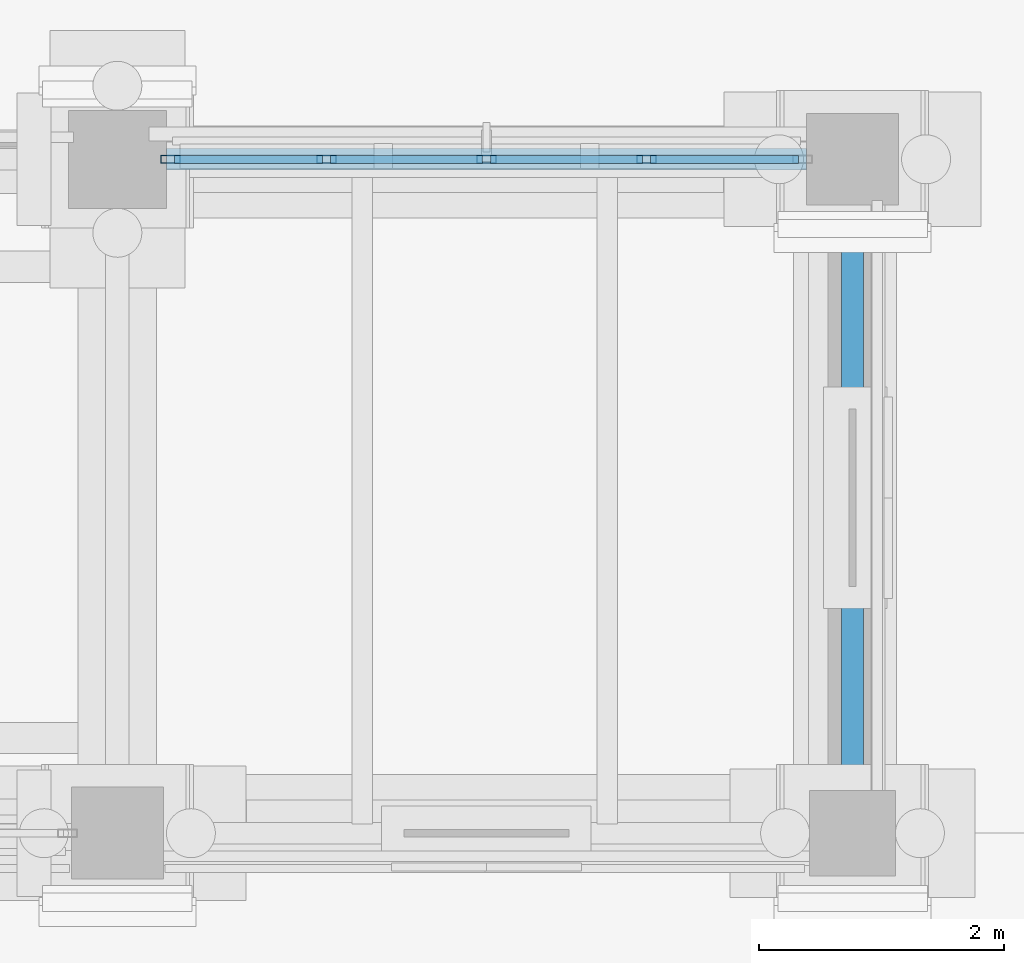
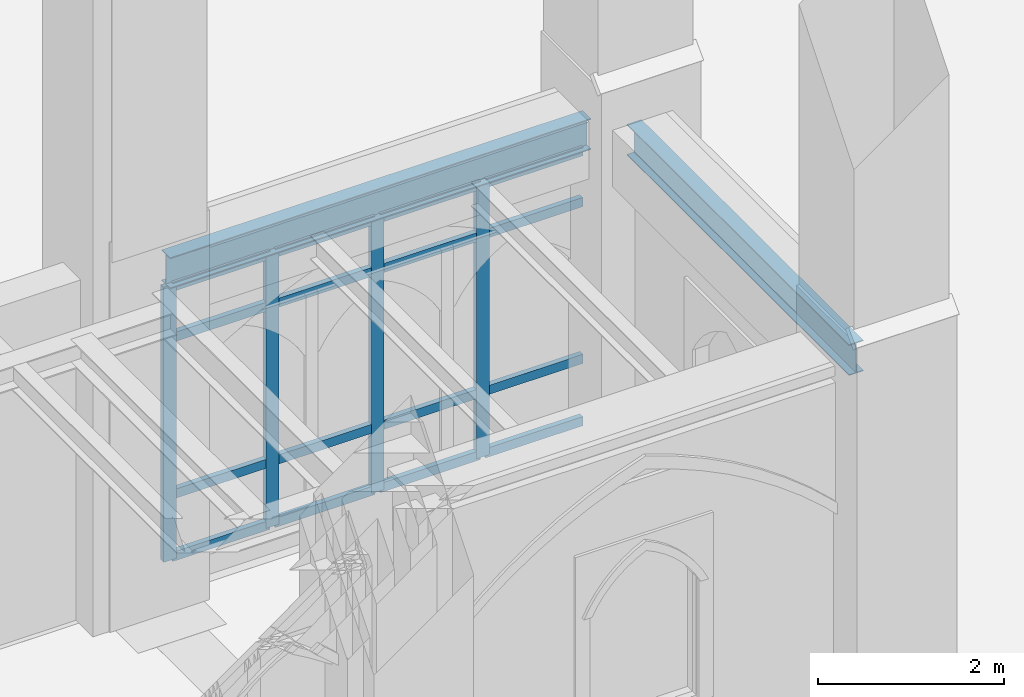
# One storey, part 37 of 135: 20 members, 2 beams, 1 element without a shape of its own.
"""IFC4 building model written with IfcOpenShell, lengths in metres."""

import ifcopenshell
import ifcopenshell.guid

model = None  # the IFC model being written
_history = None  # IfcOwnerHistory: only IFC2X3 demands one
_inside = {}  # id of a spatial element -> (the spatial element, [elements in it])
_under = {}  # id of a project, library or spatial element -> (it, [spatial elements below it])
_declared = {}  # id of a project -> (the project, [libraries it declares])
_typed = {}  # id of a type object -> (the type object, [elements of that type])
_made_of = {}  # id of a material, layer set ... -> (it, [elements and type objects made of it])


def new_model(schema):
    """Start an empty IFC model of exactly this schema.

    Asked for "IFC4X3", IfcOpenShell would pick the latest addendum, in which some entities
    have other attributes; the version numbers below select the first issue.
    IFC2X3 requires an IfcOwnerHistory on every rooted entity: one is made here for all.
    """
    global model, _history
    if schema == "IFC4X3":
        model = ifcopenshell.file(schema_version=(4, 3, 0, 0))
    else:
        model = ifcopenshell.file(schema=schema)
    _inside.clear()
    _under.clear()
    _declared.clear()
    _typed.clear()
    _made_of.clear()
    _history = None
    if model.schema == "IFC2X3":
        org = make("IfcOrganization", Name="unknown")
        user = make(
            "IfcPersonAndOrganization",
            ThePerson=make("IfcPerson", FamilyName="unknown"),
            TheOrganization=org,
        )
        app = make(
            "IfcApplication",
            ApplicationDeveloper=org,
            Version="unknown",
            ApplicationFullName="unknown",
            ApplicationIdentifier="unknown",
        )
        _history = make(
            "IfcOwnerHistory",
            OwningUser=user,
            OwningApplication=app,
            ChangeAction="ADDED",
            CreationDate=0,
        )
    return model


def make(cls, **values):
    """One entity of the class cls with the attributes given. An attribute that is None is left unset."""
    return model.create_entity(
        cls, **{name: value for name, value in values.items() if value is not None}
    )


def rooted(cls, **values):
    """An entity with a GlobalId (a new one), such as an element, a storey or a relation."""
    return make(cls, GlobalId=ifcopenshell.guid.new(), OwnerHistory=_history, **values)


def si_unit(unit_type, name, prefix=None):
    """IfcSIUnit, for example si_unit("LENGTHUNIT", "METRE", prefix="MILLI")."""
    return make("IfcSIUnit", UnitType=unit_type, Prefix=prefix, Name=name)


def assignment(units):
    """IfcUnitAssignment: the units of a project."""
    return None if units is None else make("IfcUnitAssignment", Units=units)


def point(xyz):
    """IfcCartesianPoint."""
    return None if xyz is None else make("IfcCartesianPoint", Coordinates=xyz)


def direction(xyz):
    """IfcDirection."""
    return None if xyz is None else make("IfcDirection", DirectionRatios=xyz)


def frame(location, z_axis=None, x_axis=None):
    """IfcAxis2Placement3D, a coordinate frame: its origin and axes. An axis left out is left unset."""
    return make(
        "IfcAxis2Placement3D",
        Location=point(location),
        Axis=direction(z_axis),
        RefDirection=direction(x_axis),
    )


def frame_2d(location, x_axis=None):
    """IfcAxis2Placement2D, a coordinate frame in the plane: its origin and x axis."""
    return make(
        "IfcAxis2Placement2D", Location=point(location), RefDirection=direction(x_axis)
    )


def origin():
    """The frame at (0, 0, 0) with its axes left unset."""
    return frame((0.0, 0.0, 0.0))


def origin_2d():
    """The frame at (0, 0) in the plane with its x axis left unset."""
    return frame_2d((0.0, 0.0))


def place(relative_to, where):
    """IfcLocalPlacement: puts the frame where relative to a parent placement (None: the world)."""
    return make(
        "IfcLocalPlacement", PlacementRelTo=relative_to, RelativePlacement=where
    )


def context(
    kind, dimensions, precision=None, world=None, true_north=None, identifier=None
):
    """IfcGeometricRepresentationContext, for example the 3D "Model" context."""
    return make(
        "IfcGeometricRepresentationContext",
        ContextIdentifier=identifier,
        ContextType=kind,
        CoordinateSpaceDimension=dimensions,
        Precision=precision,
        WorldCoordinateSystem=world,
        TrueNorth=true_north,
    )


def subcontext(parent, identifier, kind, view, scale=None):
    """IfcGeometricRepresentationSubContext, for example "Body" below "Model"."""
    return make(
        "IfcGeometricRepresentationSubContext",
        ContextIdentifier=identifier,
        ContextType=kind,
        ParentContext=parent,
        TargetScale=scale,
        TargetView=view,
    )


def project(units=None, contexts=None):
    """IfcProject with its units and contexts."""
    return rooted(
        "IfcProject",
        Name="project",
        RepresentationContexts=contexts,
        UnitsInContext=assignment(units),
    )


def spatial(cls, under=None, at=None, **own):
    """A site, building, storey or space (cls), placed at a placement, below another one or the project."""
    s = rooted(cls, ObjectPlacement=at, **own)
    if under is not None:
        _under.setdefault(under.id(), (under, []))[1].append(s)
    return s


def profile(cls, at=None, kind="AREA", **sizes):
    """A parametric profile (cls). Its sizes go by their IFC names, for example OverallWidth=200.0."""
    return make(cls, ProfileType=kind, Position=at, **sizes)


def hollow_rectangle(**sizes):
    """IfcRectangleHollowProfileDef."""
    return profile("IfcRectangleHollowProfileDef", **sizes)


def i_section(**sizes):
    """IfcIShapeProfileDef."""
    return profile("IfcIShapeProfileDef", **sizes)


def extrude(swept, where, along, depth):
    """IfcExtrudedAreaSolid: the profile swept, set in the frame where, extruded along a direction by depth."""
    return make(
        "IfcExtrudedAreaSolid",
        SweptArea=swept,
        Position=where,
        ExtrudedDirection=direction(along),
        Depth=depth,
    )


def shape(context_of_items, identifier, shape_type, items):
    """IfcShapeRepresentation: the items that make up one representation, for example the "Body"."""
    return make(
        "IfcShapeRepresentation",
        ContextOfItems=context_of_items,
        RepresentationIdentifier=identifier,
        RepresentationType=shape_type,
        Items=items,
    )


def material(Name=None, Category=None):
    """IfcMaterial."""
    return make("IfcMaterial", Name=Name, Category=Category)


def layer(
    of_material, thickness, ventilated=None, Name=None, Category=None, Priority=None
):
    """IfcMaterialLayer: one layer of a wall or slab, of a material (None: an air gap)."""
    return make(
        "IfcMaterialLayer",
        Material=of_material,
        LayerThickness=thickness,
        IsVentilated=ventilated,
        Name=Name,
        Category=Category,
        Priority=Priority,
    )


def layer_set(layers, Name=None):
    """IfcMaterialLayerSet."""
    return make("IfcMaterialLayerSet", MaterialLayers=layers, LayerSetName=Name)


def material_profile(
    of_material, cross_section, Name=None, Category=None, Priority=None
):
    """IfcMaterialProfile: a cross section and its material."""
    return make(
        "IfcMaterialProfile",
        Name=Name,
        Material=of_material,
        Profile=cross_section,
        Priority=Priority,
        Category=Category,
    )


def profile_set(profiles, Name=None, composite=None):
    """IfcMaterialProfileSet."""
    return make(
        "IfcMaterialProfileSet",
        Name=Name,
        MaterialProfiles=profiles,
        CompositeProfile=composite,
    )


def made_of(thing, what):
    """Note that an element or type object is made of a material, layer set ...; save() writes the relation."""
    if what is not None:
        _made_of.setdefault(what.id(), (what, []))[1].append(thing)
    return thing


def type_object(cls, material=None, **own):
    """A type object (cls), such as IfcWallType, which elements share."""
    return made_of(rooted(cls, **own), material)


def element(
    cls,
    number,
    at=None,
    inside=None,
    cuts=None,
    type_object=None,
    material=None,
    context=None,
    identifier="Body",
    shape_type=None,
    held_by="IfcProductDefinitionShape",
    body=None,
    shapes=None,
    **own,
):
    """One element of the class cls, such as IfcWall. Its Tag is "e" and its number.

    at: its placement. inside: the storey or other place that contains it. cuts: it is an
    opening in that element (IfcRelVoidsElement). A single representation is given by context,
    identifier, shape_type and body (its items); several are given by shapes. held_by: the class
    of the entity that holds the representations. save() writes the other relations.
    """
    e = rooted(cls, Tag="e%d" % number, ObjectPlacement=at, **own)
    if body is not None:
        shapes = [shape(context, identifier, shape_type, body)]
    if shapes is not None:
        e.Representation = make(held_by, Representations=shapes)
    if inside is not None:
        _inside.setdefault(inside.id(), (inside, []))[1].append(e)
    if cuts is not None:
        rooted(
            "IfcRelVoidsElement", RelatingBuildingElement=cuts, RelatedOpeningElement=e
        )
    if type_object is not None:
        _typed.setdefault(type_object.id(), (type_object, []))[1].append(e)
    return made_of(e, material)


def aggregate(whole, parts):
    """IfcRelAggregates: a whole, such as a stair, and the parts it consists of."""
    return rooted("IfcRelAggregates", RelatingObject=whole, RelatedObjects=parts)


def save(model, path):
    """Write the relations noted so far, then the file.

    IfcRelAggregates (storeys below a building ...), IfcRelContainedInSpatialStructure (elements
    in a storey), IfcRelDefinesByType, IfcRelAssociatesMaterial and IfcRelDeclares: one each for
    every whole, place, type object, material and project.
    """
    for whole, parts in _under.values():
        aggregate(whole, parts)
    for where, things in _inside.values():
        rooted(
            "IfcRelContainedInSpatialStructure",
            RelatedElements=things,
            RelatingStructure=where,
        )
    for kind, things in _typed.values():
        rooted("IfcRelDefinesByType", RelatedObjects=things, RelatingType=kind)
    for what, things in _made_of.values():
        rooted("IfcRelAssociatesMaterial", RelatedObjects=things, RelatingMaterial=what)
    for by, libraries in _declared.values():
        rooted("IfcRelDeclares", RelatingContext=by, RelatedDefinitions=libraries)
    model.write(path)


model = new_model("IFC4")

# Units and contexts
model_context = context("Model", 3, precision=1e-05, world=origin(), true_north=direction((0.0, 1.0)))
body_context = subcontext(model_context, "Body", "Model", "MODEL_VIEW")
ifc_project = project(units=[si_unit("LENGTHUNIT", "METRE"), si_unit("AREAUNIT", "SQUARE_METRE"), si_unit("VOLUMEUNIT", "CUBIC_METRE"), si_unit("PLANEANGLEUNIT", "RADIAN"), si_unit("MASSUNIT", "GRAM", prefix="KILO")], contexts=[model_context])

# Site, building, storey
site_placement = place(None, origin())
site = spatial("IfcSite", under=ifc_project, at=site_placement, CompositionType="ELEMENT")
building_placement = place(site_placement, origin())
building = spatial("IfcBuilding", under=site, at=building_placement, Name="Cumevento Cable Car Station", CompositionType="ELEMENT")
storey_placement = place(building_placement, origin())
storey = spatial("IfcBuildingStorey", under=building, at=storey_placement, Name="L01", CompositionType="ELEMENT", Elevation=0.0)

# Curtain wall, members
ifc_material_1 = material(Name="Anodised Bronze Aluminium AW-6063-T6", Category="aluminium")
ifc_layer = layer(ifc_material_1, 0.219970703125)
ifc_layer_set = layer_set([ifc_layer], Name="Anodised Bronze Aluminium AW-6063-T6")
curtain_wall_type = type_object("IfcCurtainWallType", Name="Lancet Curtain Wall CW-11 1450", PredefinedType="NOTDEFINED", material=ifc_layer_set)
curtain_wall_placement = place(storey_placement, origin())
curtain_wall = element("IfcCurtainWall", 1, at=curtain_wall_placement, inside=storey, type_object=curtain_wall_type, Name="Lancet Curtain Wall CW-11 L01 #10", PredefinedType="NOTDEFINED")
ifc_material_2 = material(Name="Anodised Bronze Aluminium AW-6063-T6", Category="aluminium")
ifc_material_profile_1 = material_profile(ifc_material_2, hollow_rectangle(XDim=0.06494140625, YDim=0.159912109375, WallThickness=0.00390625, at=origin_2d()), Name="ALUM65x160x4")
ifc_profile_set_1 = profile_set([ifc_material_profile_1], Name="Anodised Bronze Aluminium AW-6063-T6")
member_type_1 = type_object("IfcMemberType", Name="Curtain Mullion CWM-01 ALUM65x160x4", PredefinedType="MULLION", material=ifc_profile_set_1)
member_1_placement = place(storey_placement, frame((76.4326171875, 9.5, 0.260009765625), z_axis=(0.0, 0.0, 1.0), x_axis=(0.0, 1.0, 0.0)))
member_1 = element("IfcMember", 2, at=member_1_placement, type_object=member_type_1, Name="CW-11 mullion 1", PredefinedType="MULLION", context=body_context, shape_type="SweptSolid", body=[
    extrude(hollow_rectangle(XDim=0.06494140625, YDim=0.159912109375, WallThickness=0.00390625, at=origin_2d()), origin(), (0.0, 0.0, 1.0), 3.60888671875),
])
member_2_placement = place(storey_placement, frame((77.706298828125, 9.5, 0.260009765625), z_axis=(0.0, 0.0, 1.0), x_axis=(0.0, 1.0, 0.0)))
member_2 = element("IfcMember", 3, at=member_2_placement, type_object=member_type_1, Name="CW-11 mullion 2", PredefinedType="MULLION", context=body_context, shape_type="SweptSolid", body=[
    extrude(hollow_rectangle(XDim=0.06494140625, YDim=0.159912109375, WallThickness=0.00390625, at=origin_2d()), origin(), (0.0, 0.0, 1.0), 3.60888671875),
])
member_3_placement = place(storey_placement, frame((79.012451171875, 9.5, 0.260009765625), z_axis=(0.0, 0.0, 1.0), x_axis=(0.0, 1.0, 0.0)))
member_3 = element("IfcMember", 4, at=member_3_placement, type_object=member_type_1, Name="CW-11 mullion 3", PredefinedType="MULLION", context=body_context, shape_type="SweptSolid", body=[
    extrude(hollow_rectangle(XDim=0.06494140625, YDim=0.159912109375, WallThickness=0.00390625, at=origin_2d()), origin(), (0.0, 0.0, 1.0), 3.60888671875),
])
member_4_placement = place(storey_placement, frame((80.31884765625, 9.5, 0.260009765625), z_axis=(0.0, 0.0, 1.0), x_axis=(0.0, 1.0, 0.0)))
member_4 = element("IfcMember", 5, at=member_4_placement, type_object=member_type_1, Name="CW-11 mullion 4", PredefinedType="MULLION", context=body_context, shape_type="SweptSolid", body=[
    extrude(hollow_rectangle(XDim=0.06494140625, YDim=0.159912109375, WallThickness=0.00390625, at=origin_2d()), origin(), (0.0, 0.0, 1.0), 3.60888671875),
])
ifc_material_3 = material(Name="Anodised Bronze Aluminium AW-6063-T6", Category="aluminium")
ifc_material_profile_2 = material_profile(ifc_material_3, hollow_rectangle(XDim=0.06494140625, YDim=0.1201171875, WallThickness=0.00390625, at=origin_2d()), Name="ALUT65x120x4")
ifc_profile_set_2 = profile_set([ifc_material_profile_2], Name="Anodised Bronze Aluminium AW-6063-T6")
member_type_2 = type_object("IfcMemberType", Name="Curtain Transom CWT-01 ALUT65x120x4", PredefinedType="USERDEFINED", material=ifc_profile_set_2)
member_5_placement = place(storey_placement, frame((76.465087890625, 9.5, 0.29248046875), z_axis=(1.0, 0.0, 0.0), x_axis=(0.0, 1.0, 0.0)))
member_5 = element("IfcMember", 6, at=member_5_placement, type_object=member_type_2, Name="CW-11 transom 1.1", ObjectType="TRANSOM", PredefinedType="USERDEFINED", context=body_context, shape_type="SweptSolid", body=[
    extrude(hollow_rectangle(XDim=0.06494140625, YDim=0.1201171875, WallThickness=0.00390625, at=origin_2d()), origin(), (0.0, 0.0, 1.0), 1.208740234375),
])
member_6_placement = place(storey_placement, frame((76.465087890625, 9.5, 1.110107421875), z_axis=(1.0, 0.0, 0.0), x_axis=(0.0, 1.0, 0.0)))
member_6 = element("IfcMember", 7, at=member_6_placement, type_object=member_type_2, Name="CW-11 transom 1.2", ObjectType="TRANSOM", PredefinedType="USERDEFINED", context=body_context, shape_type="SweptSolid", body=[
    extrude(hollow_rectangle(XDim=0.06494140625, YDim=0.1201171875, WallThickness=0.00390625, at=origin_2d()), origin(), (0.0, 0.0, 1.0), 1.208740234375),
])
member_7_placement = place(storey_placement, frame((76.465087890625, 9.5, 3.1689453125), z_axis=(1.0, 0.0, 0.0), x_axis=(0.0, 1.0, 0.0)))
member_7 = element("IfcMember", 8, at=member_7_placement, type_object=member_type_2, Name="CW-11 transom 1.3", ObjectType="TRANSOM", PredefinedType="USERDEFINED", context=body_context, shape_type="SweptSolid", body=[
    extrude(hollow_rectangle(XDim=0.06494140625, YDim=0.1201171875, WallThickness=0.00390625, at=origin_2d()), origin(), (0.0, 0.0, 1.0), 1.208740234375),
])
member_8_placement = place(storey_placement, frame((76.465087890625, 9.5, 3.83642578125), z_axis=(1.0, 0.0, 0.0), x_axis=(0.0, 1.0, 0.0)))
member_8 = element("IfcMember", 9, at=member_8_placement, type_object=member_type_2, Name="CW-11 transom 1.4", ObjectType="TRANSOM", PredefinedType="USERDEFINED", context=body_context, shape_type="SweptSolid", body=[
    extrude(hollow_rectangle(XDim=0.06494140625, YDim=0.1201171875, WallThickness=0.00390625, at=origin_2d()), origin(), (0.0, 0.0, 1.0), 1.208740234375),
])
member_9_placement = place(storey_placement, frame((77.73876953125, 9.5, 0.29248046875), z_axis=(1.0, 0.0, 0.0), x_axis=(0.0, 1.0, 0.0)))
member_9 = element("IfcMember", 10, at=member_9_placement, type_object=member_type_2, Name="CW-11 transom 2.1", ObjectType="TRANSOM", PredefinedType="USERDEFINED", context=body_context, shape_type="SweptSolid", body=[
    extrude(hollow_rectangle(XDim=0.06494140625, YDim=0.1201171875, WallThickness=0.00390625, at=origin_2d()), origin(), (0.0, 0.0, 1.0), 1.2412109375),
])
member_10_placement = place(storey_placement, frame((77.73876953125, 9.5, 1.110107421875), z_axis=(1.0, 0.0, 0.0), x_axis=(0.0, 1.0, 0.0)))
member_10 = element("IfcMember", 11, at=member_10_placement, type_object=member_type_2, Name="CW-11 transom 2.2", ObjectType="TRANSOM", PredefinedType="USERDEFINED", context=body_context, shape_type="SweptSolid", body=[
    extrude(hollow_rectangle(XDim=0.06494140625, YDim=0.1201171875, WallThickness=0.00390625, at=origin_2d()), origin(), (0.0, 0.0, 1.0), 1.2412109375),
])
member_11_placement = place(storey_placement, frame((77.73876953125, 9.5, 3.1689453125), z_axis=(1.0, 0.0, 0.0), x_axis=(0.0, 1.0, 0.0)))
member_11 = element("IfcMember", 12, at=member_11_placement, type_object=member_type_2, Name="CW-11 transom 2.3", ObjectType="TRANSOM", PredefinedType="USERDEFINED", context=body_context, shape_type="SweptSolid", body=[
    extrude(hollow_rectangle(XDim=0.06494140625, YDim=0.1201171875, WallThickness=0.00390625, at=origin_2d()), origin(), (0.0, 0.0, 1.0), 1.2412109375),
])
member_12_placement = place(storey_placement, frame((77.73876953125, 9.5, 3.83642578125), z_axis=(1.0, 0.0, 0.0), x_axis=(0.0, 1.0, 0.0)))
member_12 = element("IfcMember", 13, at=member_12_placement, type_object=member_type_2, Name="CW-11 transom 2.4", ObjectType="TRANSOM", PredefinedType="USERDEFINED", context=body_context, shape_type="SweptSolid", body=[
    extrude(hollow_rectangle(XDim=0.06494140625, YDim=0.1201171875, WallThickness=0.00390625, at=origin_2d()), origin(), (0.0, 0.0, 1.0), 1.2412109375),
])
member_13_placement = place(storey_placement, frame((79.044921875, 9.5, 0.29248046875), z_axis=(1.0, 0.0, 0.0), x_axis=(0.0, 1.0, 0.0)))
member_13 = element("IfcMember", 14, at=member_13_placement, type_object=member_type_2, Name="CW-11 transom 3.1", ObjectType="TRANSOM", PredefinedType="USERDEFINED", context=body_context, shape_type="SweptSolid", body=[
    extrude(hollow_rectangle(XDim=0.06494140625, YDim=0.1201171875, WallThickness=0.00390625, at=origin_2d()), origin(), (0.0, 0.0, 1.0), 1.2412109375),
])
member_14_placement = place(storey_placement, frame((79.044921875, 9.5, 1.110107421875), z_axis=(1.0, 0.0, 0.0), x_axis=(0.0, 1.0, 0.0)))
member_14 = element("IfcMember", 15, at=member_14_placement, type_object=member_type_2, Name="CW-11 transom 3.2", ObjectType="TRANSOM", PredefinedType="USERDEFINED", context=body_context, shape_type="SweptSolid", body=[
    extrude(hollow_rectangle(XDim=0.06494140625, YDim=0.1201171875, WallThickness=0.00390625, at=origin_2d()), origin(), (0.0, 0.0, 1.0), 1.2412109375),
])
member_15_placement = place(storey_placement, frame((79.044921875, 9.5, 3.1689453125), z_axis=(1.0, 0.0, 0.0), x_axis=(0.0, 1.0, 0.0)))
member_15 = element("IfcMember", 16, at=member_15_placement, type_object=member_type_2, Name="CW-11 transom 3.3", ObjectType="TRANSOM", PredefinedType="USERDEFINED", context=body_context, shape_type="SweptSolid", body=[
    extrude(hollow_rectangle(XDim=0.06494140625, YDim=0.1201171875, WallThickness=0.00390625, at=origin_2d()), origin(), (0.0, 0.0, 1.0), 1.2412109375),
])
member_16_placement = place(storey_placement, frame((79.044921875, 9.5, 3.83642578125), z_axis=(1.0, 0.0, 0.0), x_axis=(0.0, 1.0, 0.0)))
member_16 = element("IfcMember", 17, at=member_16_placement, type_object=member_type_2, Name="CW-11 transom 3.4", ObjectType="TRANSOM", PredefinedType="USERDEFINED", context=body_context, shape_type="SweptSolid", body=[
    extrude(hollow_rectangle(XDim=0.06494140625, YDim=0.1201171875, WallThickness=0.00390625, at=origin_2d()), origin(), (0.0, 0.0, 1.0), 1.2412109375),
])
member_17_placement = place(storey_placement, frame((80.351318359375, 9.5, 0.29248046875), z_axis=(1.0, 0.0, 0.0), x_axis=(0.0, 1.0, 0.0)))
member_17 = element("IfcMember", 18, at=member_17_placement, type_object=member_type_2, Name="CW-11 transom 4.1", ObjectType="TRANSOM", PredefinedType="USERDEFINED", context=body_context, shape_type="SweptSolid", body=[
    extrude(hollow_rectangle(XDim=0.06494140625, YDim=0.1201171875, WallThickness=0.00390625, at=origin_2d()), origin(), (0.0, 0.0, 1.0), 1.208740234375),
])
member_18_placement = place(storey_placement, frame((80.351318359375, 9.5, 1.110107421875), z_axis=(1.0, 0.0, 0.0), x_axis=(0.0, 1.0, 0.0)))
member_18 = element("IfcMember", 19, at=member_18_placement, type_object=member_type_2, Name="CW-11 transom 4.2", ObjectType="TRANSOM", PredefinedType="USERDEFINED", context=body_context, shape_type="SweptSolid", body=[
    extrude(hollow_rectangle(XDim=0.06494140625, YDim=0.1201171875, WallThickness=0.00390625, at=origin_2d()), origin(), (0.0, 0.0, 1.0), 1.208740234375),
])
member_19_placement = place(storey_placement, frame((80.351318359375, 9.5, 3.1689453125), z_axis=(1.0, 0.0, 0.0), x_axis=(0.0, 1.0, 0.0)))
member_19 = element("IfcMember", 20, at=member_19_placement, type_object=member_type_2, Name="CW-11 transom 4.3", ObjectType="TRANSOM", PredefinedType="USERDEFINED", context=body_context, shape_type="SweptSolid", body=[
    extrude(hollow_rectangle(XDim=0.06494140625, YDim=0.1201171875, WallThickness=0.00390625, at=origin_2d()), origin(), (0.0, 0.0, 1.0), 1.208740234375),
])
member_20_placement = place(storey_placement, frame((80.351318359375, 9.5, 3.83642578125), z_axis=(1.0, 0.0, 0.0), x_axis=(0.0, 1.0, 0.0)))
member_20 = element("IfcMember", 21, at=member_20_placement, type_object=member_type_2, Name="CW-11 transom 4.4", ObjectType="TRANSOM", PredefinedType="USERDEFINED", context=body_context, shape_type="SweptSolid", body=[
    extrude(hollow_rectangle(XDim=0.06494140625, YDim=0.1201171875, WallThickness=0.00390625, at=origin_2d()), origin(), (0.0, 0.0, 1.0), 1.208740234375),
])
aggregate(curtain_wall, [member_1, member_2, member_3, member_4, member_5, member_6, member_7, member_8, member_9, member_10, member_11, member_12, member_13, member_14, member_15, member_16, member_17, member_18, member_19, member_20])

# Beams
ifc_material_4 = material(Name="Steel ASTM A572 Grade 50", Category="steel")
ifc_material_profile_3 = material_profile(ifc_material_4, i_section(OverallWidth=0.177978515625, OverallDepth=0.406982421875, WebThickness=0.0078125, FlangeThickness=0.0126953125, at=origin_2d()), Name="W410x60.0")
ifc_profile_set_3 = profile_set([ifc_material_profile_3], Name="Steel ASTM A572 Grade 50")
beam_type = type_object("IfcBeamType", Name="Structural Spandrel SP-01 W410x60.0", PredefinedType="SPANDREL", material=ifc_profile_set_3)
beam_1_placement = place(storey_placement, frame((76.39990234375, 9.5, 4.072509765625), z_axis=(1.0, 0.0, 0.0), x_axis=(0.0, 1.0, 0.0)))
element("IfcBeam", 22, at=beam_1_placement, inside=storey, type_object=beam_type, Name="Beam SP-01 L01 #34", PredefinedType="SPANDREL", context=body_context, shape_type="SweptSolid", body=[
    extrude(i_section(OverallWidth=0.177978515625, OverallDepth=0.406982421875, WebThickness=0.0078125, FlangeThickness=0.0126953125, at=origin_2d()), origin(), (0.0, 0.0, 1.0), 5.22509765625),
])
beam_2_placement = place(storey_placement, frame((82.0, 4.35009765625, 4.072509765625), z_axis=(0.0, 1.0, 0.0), x_axis=(-1.0, 0.0, 0.0)))
element("IfcBeam", 23, at=beam_2_placement, inside=storey, type_object=beam_type, Name="Beam SP-01 L01 #39", PredefinedType="SPANDREL", context=body_context, shape_type="SweptSolid", body=[
    extrude(i_section(OverallWidth=0.177978515625, OverallDepth=0.406982421875, WebThickness=0.0078125, FlangeThickness=0.0126953125, at=origin_2d()), origin(), (0.0, 0.0, 1.0), 4.77490234375),
])

save(model, "model.ifc")
